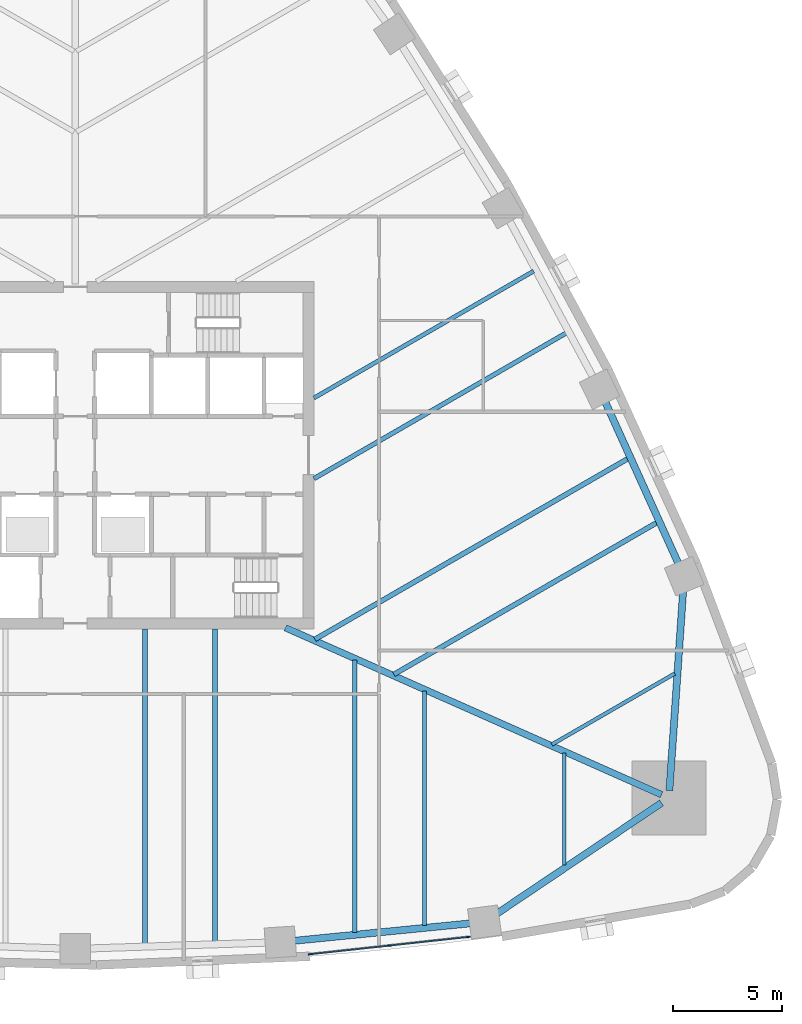
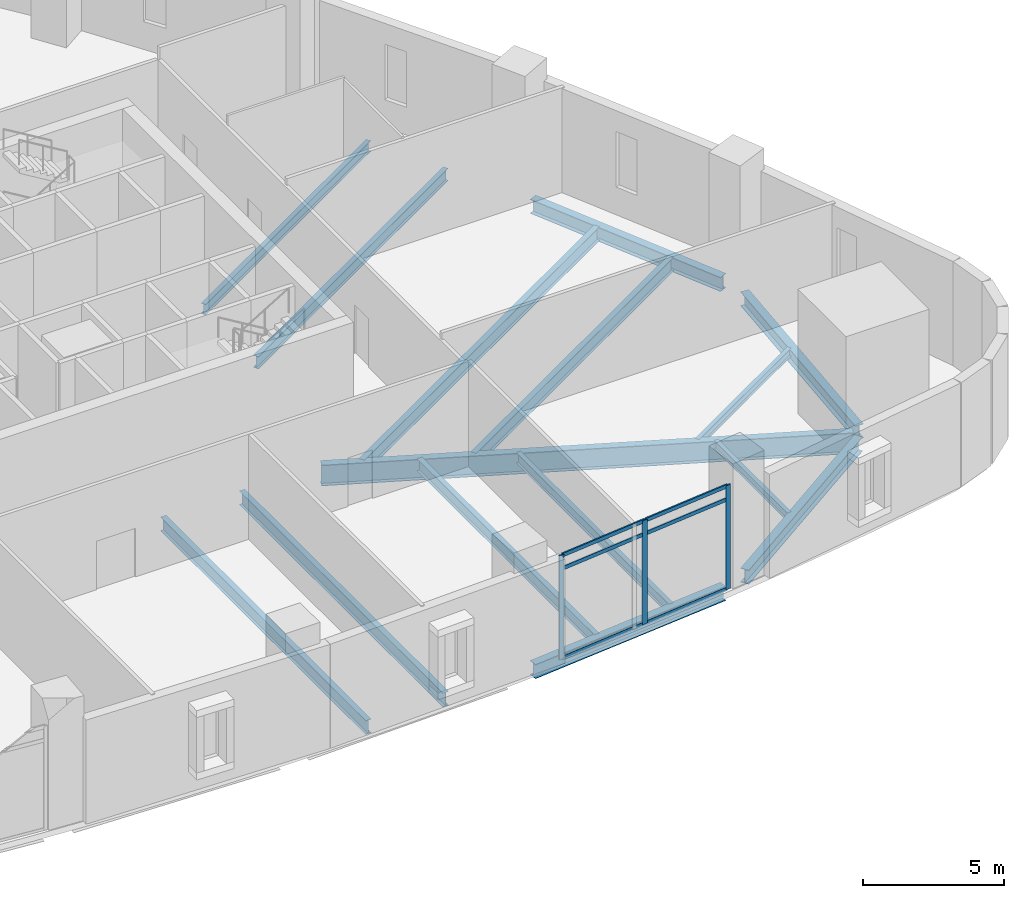
# One storey, part 4 of 14: 15 beams, 9 members, 1 element without a shape of its own.
"""IFC4 building model written with IfcOpenShell, lengths in metres."""

from ifc_helpers import new_model, si_unit, direction, frame, origin, origin_2d, place, context, subcontext, project, spatial, rectangle, i_section, extrude, material, layer, layer_set, material_profile, profile_set, type_object, element, aggregate, save


model = new_model("IFC4")

# Units and contexts
model_context = context("Model", 3, precision=1e-05, world=origin(), true_north=direction((0.0, 1.0)))
body_context = subcontext(model_context, "Body", "Model", "MODEL_VIEW")
ifc_project = project(units=[si_unit("LENGTHUNIT", "METRE"), si_unit("AREAUNIT", "SQUARE_METRE"), si_unit("VOLUMEUNIT", "CUBIC_METRE"), si_unit("PLANEANGLEUNIT", "RADIAN"), si_unit("MASSUNIT", "GRAM", prefix="KILO")], contexts=[model_context])

# Site, building, storey
site_placement = place(None, origin())
site = spatial("IfcSite", under=ifc_project, at=site_placement, CompositionType="ELEMENT")
building_placement = place(site_placement, origin())
building = spatial("IfcBuilding", under=site, at=building_placement, Name="Sierra Prisma Convention Tower", CompositionType="ELEMENT")
storey_placement = place(building_placement, frame((0.0, 0.0, 16.800048828125)))
storey = spatial("IfcBuildingStorey", under=building, at=storey_placement, Name="L02", CompositionType="ELEMENT", Elevation=16.800048828125)

# Curtain wall, members
ifc_material_1 = material(Name="Aluminium, bronze anodised", Category="aluminium")
ifc_layer = layer(ifc_material_1, 0.199951171875)
ifc_layer_set = layer_set([ifc_layer], Name="CW-3 curtain wall")
curtain_wall_type = type_object("IfcCurtainWallType", Name="CW-3 curtain wall", PredefinedType="NOTDEFINED", material=ifc_layer_set)
curtain_wall_placement = place(storey_placement, origin())
curtain_wall = element("IfcCurtainWall", 1, at=curtain_wall_placement, inside=storey, type_object=curtain_wall_type, Name="CW-3 curtain wall", PredefinedType="NOTDEFINED")
ifc_material_2 = material(Name="Aluminium, bronze anodised", Category="aluminium")
ifc_material_profile_1 = material_profile(ifc_material_2, rectangle(XDim=0.06005859375, YDim=0.199951171875, at=origin_2d()), Name="CW-3 mullion 60 x 200")
ifc_profile_set_1 = profile_set([ifc_material_profile_1], Name="Aluminium, bronze anodised")
member_type_1 = type_object("IfcMemberType", Name="CW-3 mullion 60 x 200", PredefinedType="MULLION", material=ifc_profile_set_1)
member_1_placement = place(storey_placement, frame((18.110107421875, -22.197265625, 0.0), z_axis=(0.0, 0.0, 1.0), x_axis=(0.10860666578, -0.994084801286, 0.0)))
member_1 = element("IfcMember", 2, at=member_1_placement, type_object=member_type_1, Name="CW-3 mullion 1", PredefinedType="MULLION", context=body_context, shape_type="SweptSolid", body=[
    extrude(rectangle(XDim=0.06005859375, YDim=0.199951171875, at=origin_2d()), origin(), (0.0, 0.0, 1.0), 4.5),
])
member_2_placement = place(storey_placement, frame((14.469970703125, -22.594970703125, 0.0), z_axis=(0.0, 0.0, 1.0), x_axis=(0.10860666578, -0.994084801286, 0.0)))
member_2 = element("IfcMember", 3, at=member_2_placement, type_object=member_type_1, Name="CW-3 mullion 2", PredefinedType="MULLION", context=body_context, shape_type="SweptSolid", body=[
    extrude(rectangle(XDim=0.06005859375, YDim=0.199951171875, at=origin_2d()), origin(), (0.0, 0.0, 1.0), 4.5),
])
member_3_placement = place(storey_placement, frame((10.830078125, -22.992431640625, 0.0), z_axis=(0.0, 0.0, 1.0), x_axis=(0.10860666578, -0.994084801286, 0.0)))
member_3 = element("IfcMember", 4, at=member_3_placement, type_object=member_type_1, Name="CW-3 mullion 3", PredefinedType="MULLION", context=body_context, shape_type="SweptSolid", body=[
    extrude(rectangle(XDim=0.06005859375, YDim=0.199951171875, at=origin_2d()), origin(), (0.0, 0.0, 1.0), 4.5),
])
ifc_material_3 = material(Name="Aluminium, bronze anodised", Category="aluminium")
ifc_material_profile_2 = material_profile(ifc_material_3, rectangle(XDim=0.06005859375, YDim=0.159912109375, at=origin_2d()), Name="CW-3 transom 60 x 160")
ifc_profile_set_2 = profile_set([ifc_material_profile_2], Name="Aluminium, bronze anodised")
member_type_2 = type_object("IfcMemberType", Name="CW-3 transom 60 x 160", PredefinedType="USERDEFINED", material=ifc_profile_set_2)
member_4_placement = place(storey_placement, frame((18.080322265625, -22.200439453125, 0.030029296875), z_axis=(-0.994087020649, -0.108586349862, 0.0), x_axis=(0.108586349862, -0.994087020649, 0.0)))
member_4 = element("IfcMember", 5, at=member_4_placement, type_object=member_type_2, Name="CW-3 transom 1.1", ObjectType="TRANSOM", PredefinedType="USERDEFINED", context=body_context, shape_type="SweptSolid", body=[
    extrude(rectangle(XDim=0.06005859375, YDim=0.159912109375, at=origin_2d()), origin(), (0.0, 0.0, 1.0), 3.601806640625),
])
member_5_placement = place(storey_placement, frame((18.080322265625, -22.200439453125, 3.89990234375), z_axis=(-0.994087020649, -0.108586349862, 0.0), x_axis=(0.108586349862, -0.994087020649, 0.0)))
member_5 = element("IfcMember", 6, at=member_5_placement, type_object=member_type_2, Name="CW-3 transom 1.2", ObjectType="TRANSOM", PredefinedType="USERDEFINED", context=body_context, shape_type="SweptSolid", body=[
    extrude(rectangle(XDim=0.06005859375, YDim=0.159912109375, at=origin_2d()), origin(), (0.0, 0.0, 1.0), 3.601806640625),
])
member_6_placement = place(storey_placement, frame((18.080322265625, -22.200439453125, 4.469970703125), z_axis=(-0.994087020649, -0.108586349862, 0.0), x_axis=(0.108586349862, -0.994087020649, 0.0)))
member_6 = element("IfcMember", 7, at=member_6_placement, type_object=member_type_2, Name="CW-3 transom 1.3", ObjectType="TRANSOM", PredefinedType="USERDEFINED", context=body_context, shape_type="SweptSolid", body=[
    extrude(rectangle(XDim=0.06005859375, YDim=0.159912109375, at=origin_2d()), origin(), (0.0, 0.0, 1.0), 3.601806640625),
])
member_7_placement = place(storey_placement, frame((14.440185546875, -22.59814453125, 0.030029296875), z_axis=(-0.994086221354, -0.108593667004, 0.0), x_axis=(0.108593667004, -0.994086221354, 0.0)))
member_7 = element("IfcMember", 8, at=member_7_placement, type_object=member_type_2, Name="CW-3 transom 2.1", ObjectType="TRANSOM", PredefinedType="USERDEFINED", context=body_context, shape_type="SweptSolid", body=[
    extrude(rectangle(XDim=0.06005859375, YDim=0.159912109375, at=origin_2d()), origin(), (0.0, 0.0, 1.0), 3.6015625),
])
member_8_placement = place(storey_placement, frame((14.440185546875, -22.59814453125, 3.89990234375), z_axis=(-0.994086221354, -0.108593667004, 0.0), x_axis=(0.108593667004, -0.994086221354, 0.0)))
member_8 = element("IfcMember", 9, at=member_8_placement, type_object=member_type_2, Name="CW-3 transom 2.2", ObjectType="TRANSOM", PredefinedType="USERDEFINED", context=body_context, shape_type="SweptSolid", body=[
    extrude(rectangle(XDim=0.06005859375, YDim=0.159912109375, at=origin_2d()), origin(), (0.0, 0.0, 1.0), 3.6015625),
])
member_9_placement = place(storey_placement, frame((14.440185546875, -22.59814453125, 4.469970703125), z_axis=(-0.994086221354, -0.108593667004, 0.0), x_axis=(0.108593667004, -0.994086221354, 0.0)))
member_9 = element("IfcMember", 10, at=member_9_placement, type_object=member_type_2, Name="CW-3 transom 2.3", ObjectType="TRANSOM", PredefinedType="USERDEFINED", context=body_context, shape_type="SweptSolid", body=[
    extrude(rectangle(XDim=0.06005859375, YDim=0.159912109375, at=origin_2d()), origin(), (0.0, 0.0, 1.0), 3.6015625),
])
aggregate(curtain_wall, [member_1, member_2, member_3, member_4, member_5, member_6, member_7, member_8, member_9])

# Beams
ifc_material_4 = material(Name="Steel ASTM A992 Gr 50", Category="steel")
ifc_material_profile_3 = material_profile(ifc_material_4, i_section(OverallWidth=0.172119140625, OverallDepth=0.35791015625, WebThickness=0.0078125, FlangeThickness=0.01318359375, at=origin_2d()), Name="W360x57")
ifc_profile_set_3 = profile_set([ifc_material_profile_3], Name="Steel ASTM A992 Gr 50")
beam_type_1 = type_object("IfcBeamType", Name="Floor joist W360x57", PredefinedType="JOIST", material=ifc_profile_set_3)
beam_1_placement = place(storey_placement, frame((22.52783203125, -18.89501953125, -0.428955078125), z_axis=(0.0, 1.0, 0.0), x_axis=(-1.0, 0.0, 0.0)))
element("IfcBeam", 11, at=beam_1_placement, inside=storey, type_object=beam_type_1, Name="Floor joist L02 S16", PredefinedType="JOIST", context=body_context, shape_type="SweptSolid", body=[
    extrude(i_section(OverallWidth=0.172119140625, OverallDepth=0.35791015625, WebThickness=0.0078125, FlangeThickness=0.01318359375, at=origin_2d()), origin(), (0.0, 0.0, 1.0), 5.177978515625),
])
beam_2_placement = place(storey_placement, frame((27.62744140625, -10.06201171875, -0.428955078125), z_axis=(-0.866022747659, -0.500004600516, 0.0), x_axis=(0.500004600516, -0.866022747659, 0.0)))
element("IfcBeam", 12, at=beam_2_placement, inside=storey, type_object=beam_type_1, Name="Floor joist L02 NE02", PredefinedType="JOIST", context=body_context, shape_type="SweptSolid", body=[
    extrude(i_section(OverallWidth=0.172119140625, OverallDepth=0.35791015625, WebThickness=0.0078125, FlangeThickness=0.01318359375, at=origin_2d()), origin(), (0.0, 0.0, 1.0), 6.54150390625),
])
ifc_material_5 = material(Name="Steel ASTM A992 Gr 50", Category="steel")
ifc_material_profile_4 = material_profile(ifc_material_5, i_section(OverallWidth=0.18994140625, OverallDepth=0.45703125, WebThickness=0.009033203125, FlangeThickness=0.014404296875, at=origin_2d()), Name="W460x74")
ifc_profile_set_4 = profile_set([ifc_material_profile_4], Name="Steel ASTM A992 Gr 50")
beam_type_2 = type_object("IfcBeamType", Name="Floor joist W460x74", PredefinedType="JOIST", material=ifc_profile_set_4)
beam_3_placement = place(storey_placement, frame((16.09130859375, -21.6689453125, -0.478515625), z_axis=(0.0, 1.0, 0.0), x_axis=(-1.0, 0.0, 0.0)))
element("IfcBeam", 13, at=beam_3_placement, inside=storey, type_object=beam_type_2, Name="Floor joist L02 S14", PredefinedType="JOIST", context=body_context, shape_type="SweptSolid", body=[
    extrude(i_section(OverallWidth=0.18994140625, OverallDepth=0.45703125, WebThickness=0.009033203125, FlangeThickness=0.014404296875, at=origin_2d()), origin(), (0.0, 0.0, 1.0), 10.8095703125),
])
beam_4_placement = place(storey_placement, frame((21.1220703125, 8.478759765625, -0.478515625), z_axis=(-0.866024880635, -0.500000906121, 0.0), x_axis=(0.500000906121, -0.866024880635, 0.0)))
element("IfcBeam", 14, at=beam_4_placement, inside=storey, type_object=beam_type_2, Name="Floor joist L02 NE08", PredefinedType="JOIST", context=body_context, shape_type="SweptSolid", body=[
    extrude(i_section(OverallWidth=0.18994140625, OverallDepth=0.45703125, WebThickness=0.009033203125, FlangeThickness=0.014404296875, at=origin_2d()), origin(), (0.0, 0.0, 1.0), 11.68798828125),
])
ifc_material_6 = material(Name="Steel ASTM A992 Gr 50", Category="steel")
ifc_material_profile_5 = material_profile(ifc_material_6, i_section(OverallWidth=0.208984375, OverallDepth=0.532958984375, WebThickness=0.01025390625, FlangeThickness=0.015625, at=origin_2d()), Name="W530x92")
ifc_profile_set_5 = profile_set([ifc_material_profile_5], Name="Steel ASTM A992 Gr 50")
beam_type_3 = type_object("IfcBeamType", Name="Floor joist W530x92", PredefinedType="JOIST", material=ifc_profile_set_5)
beam_5_placement = place(storey_placement, frame((12.873046875, -21.9873046875, -0.5166015625), z_axis=(0.0, 1.0, 0.0), x_axis=(-1.0, 0.0, 0.0)))
element("IfcBeam", 15, at=beam_5_placement, inside=storey, type_object=beam_type_3, Name="Floor joist L02 S13", PredefinedType="JOIST", context=body_context, shape_type="SweptSolid", body=[
    extrude(i_section(OverallWidth=0.208984375, OverallDepth=0.532958984375, WebThickness=0.01025390625, FlangeThickness=0.015625, at=origin_2d()), origin(), (0.0, 0.0, 1.0), 12.556640625),
])
beam_6_placement = place(storey_placement, frame((22.639404296875, 5.638671875, -0.5166015625), z_axis=(-0.866026773083, -0.499997628298, 0.0), x_axis=(0.499997628298, -0.866026773083, 0.0)))
element("IfcBeam", 16, at=beam_6_placement, inside=storey, type_object=beam_type_3, Name="Floor joist L02 NE07", PredefinedType="JOIST", context=body_context, shape_type="SweptSolid", body=[
    extrude(i_section(OverallWidth=0.208984375, OverallDepth=0.532958984375, WebThickness=0.01025390625, FlangeThickness=0.015625, at=origin_2d()), origin(), (0.0, 0.0, 1.0), 13.43994140625),
])
ifc_material_7 = material(Name="Steel ASTM A992 Gr 50", Category="steel")
ifc_material_profile_6 = material_profile(ifc_material_7, i_section(OverallWidth=0.22802734375, OverallDepth=0.60302734375, WebThickness=0.010498046875, FlangeThickness=0.014892578125, at=origin_2d()), Name="W610x101")
ifc_profile_set_6 = profile_set([ifc_material_profile_6], Name="Steel ASTM A992 Gr 50")
beam_type_4 = type_object("IfcBeamType", Name="Floor joist W610x101", PredefinedType="JOIST", material=ifc_profile_set_6)
beam_7_placement = place(storey_placement, frame((3.21826171875, -22.531494140625, -0.551513671875), z_axis=(0.0, 1.0, 0.0), x_axis=(-1.0, 0.0, 0.0)))
element("IfcBeam", 17, at=beam_7_placement, inside=storey, type_object=beam_type_4, Name="Floor joist L02 S10", PredefinedType="JOIST", context=body_context, shape_type="SweptSolid", body=[
    extrude(i_section(OverallWidth=0.22802734375, OverallDepth=0.60302734375, WebThickness=0.010498046875, FlangeThickness=0.014892578125, at=origin_2d()), origin(), (0.0, 0.0, 1.0), 14.531494140625),
])
beam_8_placement = place(storey_placement, frame((6.4365234375, -22.42578125, -0.551513671875), z_axis=(0.0, 1.0, 0.0), x_axis=(-1.0, 0.0, 0.0)))
element("IfcBeam", 18, at=beam_8_placement, inside=storey, type_object=beam_type_4, Name="Floor joist L02 S11", PredefinedType="JOIST", context=body_context, shape_type="SweptSolid", body=[
    extrude(i_section(OverallWidth=0.22802734375, OverallDepth=0.60302734375, WebThickness=0.010498046875, FlangeThickness=0.014892578125, at=origin_2d()), origin(), (0.0, 0.0, 1.0), 14.42578125),
])
beam_9_placement = place(storey_placement, frame((26.8115234375, -3.10107421875, -0.551513671875), z_axis=(-0.866032862007, -0.499987081758, 0.0), x_axis=(0.499987081758, -0.866032862007, 0.0)))
element("IfcBeam", 19, at=beam_9_placement, inside=storey, type_object=beam_type_4, Name="Floor joist L02 NE04", PredefinedType="JOIST", context=body_context, shape_type="SweptSolid", body=[
    extrude(i_section(OverallWidth=0.22802734375, OverallDepth=0.60302734375, WebThickness=0.010498046875, FlangeThickness=0.014892578125, at=origin_2d()), origin(), (0.0, 0.0, 1.0), 14.002197265625),
])
beam_10_placement = place(storey_placement, frame((25.47802734375, -0.15478515625, -0.551513671875), z_axis=(-0.866027491634, -0.499996383721, 0.0), x_axis=(0.499996383721, -0.866027491634, 0.0)))
element("IfcBeam", 20, at=beam_10_placement, inside=storey, type_object=beam_type_4, Name="Floor joist L02 NE05", PredefinedType="JOIST", context=body_context, shape_type="SweptSolid", body=[
    extrude(i_section(OverallWidth=0.22802734375, OverallDepth=0.60302734375, WebThickness=0.010498046875, FlangeThickness=0.014892578125, at=origin_2d()), origin(), (0.0, 0.0, 1.0), 16.6640625),
])
ifc_material_8 = material(Name="Steel ASTM A992 Gr 50", Category="steel")
ifc_material_profile_7 = material_profile(ifc_material_8, i_section(OverallWidth=0.303955078125, OverallDepth=0.903076171875, WebThickness=0.01513671875, FlangeThickness=0.02001953125, at=origin_2d()), Name="W920x201")
ifc_profile_set_7 = profile_set([ifc_material_profile_7], Name="Steel ASTM A992 Gr 50")
beam_type_5 = type_object("IfcBeamType", Name="Radial girder W920x201", PredefinedType="BEAM", material=ifc_profile_set_7)
beam_11_placement = place(storey_placement, frame((27.01513671875, -15.642578125, -0.70166015625), z_axis=(-0.91398196052, 0.405754822331, 0.0), x_axis=(-0.405754822331, -0.91398196052, 0.0)))
element("IfcBeam", 21, at=beam_11_placement, inside=storey, type_object=beam_type_5, Name="Radial girder L02 SE", PredefinedType="BEAM", context=body_context, shape_type="SweptSolid", body=[
    extrude(i_section(OverallWidth=0.303955078125, OverallDepth=0.903076171875, WebThickness=0.01513671875, FlangeThickness=0.02001953125, at=origin_2d()), origin(), (0.0, 0.0, 1.0), 18.955078125),
])
ifc_material_9 = material(Name="Steel ASTM A992 Gr 50", Category="steel")
ifc_material_profile_8 = material_profile(ifc_material_9, i_section(OverallWidth=0.324951171875, OverallDepth=0.615966796875, WebThickness=0.013916015625, FlangeThickness=0.021484375, at=origin_2d()), Name="W610x174")
ifc_profile_set_8 = profile_set([ifc_material_profile_8], Name="Steel ASTM A992 Gr 50")
beam_type_6 = type_object("IfcBeamType", Name="Spandrel beam W610x174", PredefinedType="BEAM", material=ifc_profile_set_8)
beam_12_placement = place(storey_placement, frame((10.028076171875, -22.382080078125, -0.55810546875), z_axis=(0.99514126278, 0.098457438079, 0.0), x_axis=(-0.098457438079, 0.99514126278, 0.0)))
element("IfcBeam", 22, at=beam_12_placement, inside=storey, type_object=beam_type_6, Name="Spandrel L02-05", PredefinedType="BEAM", context=body_context, shape_type="SweptSolid", body=[
    extrude(i_section(OverallWidth=0.324951171875, OverallDepth=0.615966796875, WebThickness=0.013916015625, FlangeThickness=0.021484375, at=origin_2d()), origin(), (0.0, 0.0, 1.0), 8.29443359375),
])
beam_13_placement = place(storey_placement, frame((19.40869140625, -21.138916015625, -0.55810546875), z_axis=(0.829740498665, 0.558149357139, 0.0), x_axis=(-0.558149357139, 0.829740498665, 0.0)))
element("IfcBeam", 23, at=beam_13_placement, inside=storey, type_object=beam_type_6, Name="Spandrel L02-06", PredefinedType="BEAM", context=body_context, shape_type="SweptSolid", body=[
    extrude(i_section(OverallWidth=0.324951171875, OverallDepth=0.615966796875, WebThickness=0.013916015625, FlangeThickness=0.021484375, at=origin_2d()), origin(), (0.0, 0.0, 1.0), 9.167236328125),
])
beam_14_placement = place(storey_placement, frame((27.37841796875, -15.453369140625, -0.55810546875), z_axis=(0.06851541914, 0.997650057555, 0.0), x_axis=(-0.997650057555, 0.06851541914, 0.0)))
element("IfcBeam", 24, at=beam_14_placement, inside=storey, type_object=beam_type_6, Name="Spandrel L02-07", PredefinedType="BEAM", context=body_context, shape_type="SweptSolid", body=[
    extrude(i_section(OverallWidth=0.324951171875, OverallDepth=0.615966796875, WebThickness=0.013916015625, FlangeThickness=0.021484375, at=origin_2d()), origin(), (0.0, 0.0, 1.0), 9.236083984375),
])
beam_15_placement = place(storey_placement, frame((27.8173828125, -5.05029296875, -0.55810546875), z_axis=(-0.41230108384, 0.911047647637, 0.0), x_axis=(-0.911047647637, -0.41230108384, 0.0)))
element("IfcBeam", 25, at=beam_15_placement, inside=storey, type_object=beam_type_6, Name="Spandrel L02-08", PredefinedType="BEAM", context=body_context, shape_type="SweptSolid", body=[
    extrude(i_section(OverallWidth=0.324951171875, OverallDepth=0.615966796875, WebThickness=0.013916015625, FlangeThickness=0.021484375, at=origin_2d()), origin(), (0.0, 0.0, 1.0), 8.294677734375),
])

save(model, "model.ifc")
